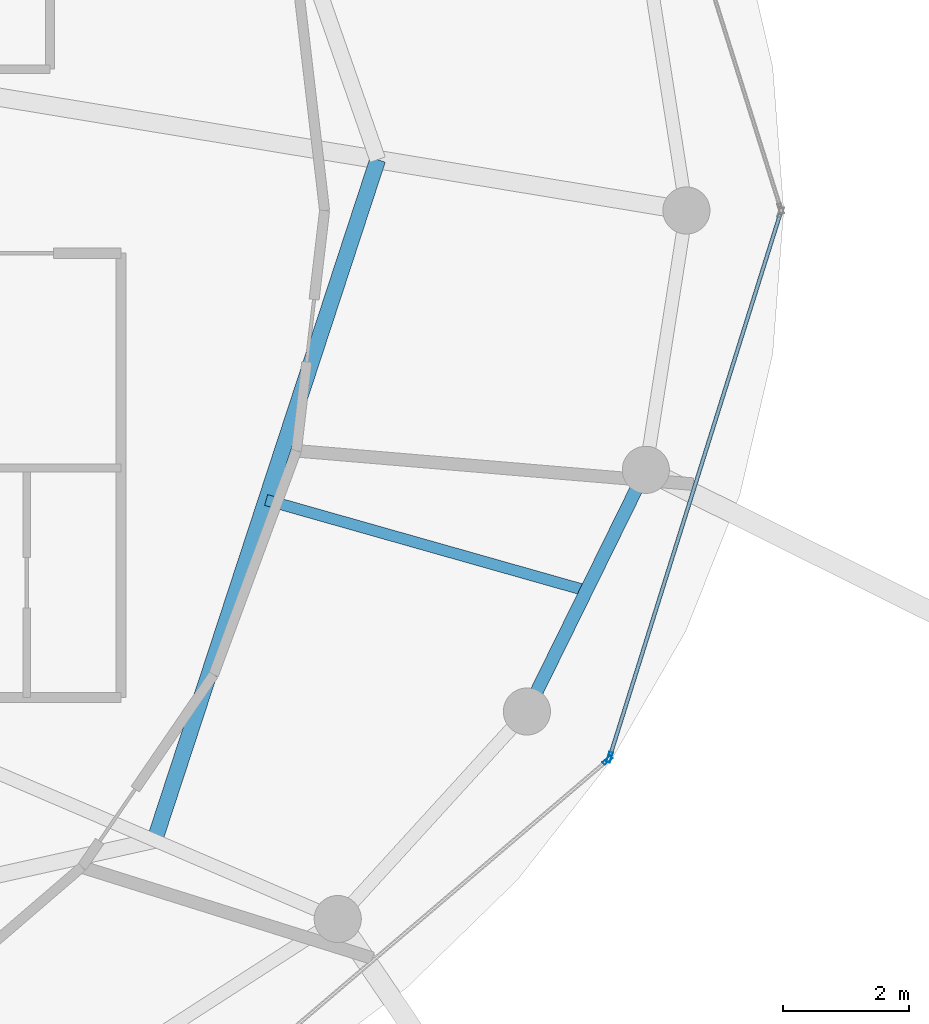
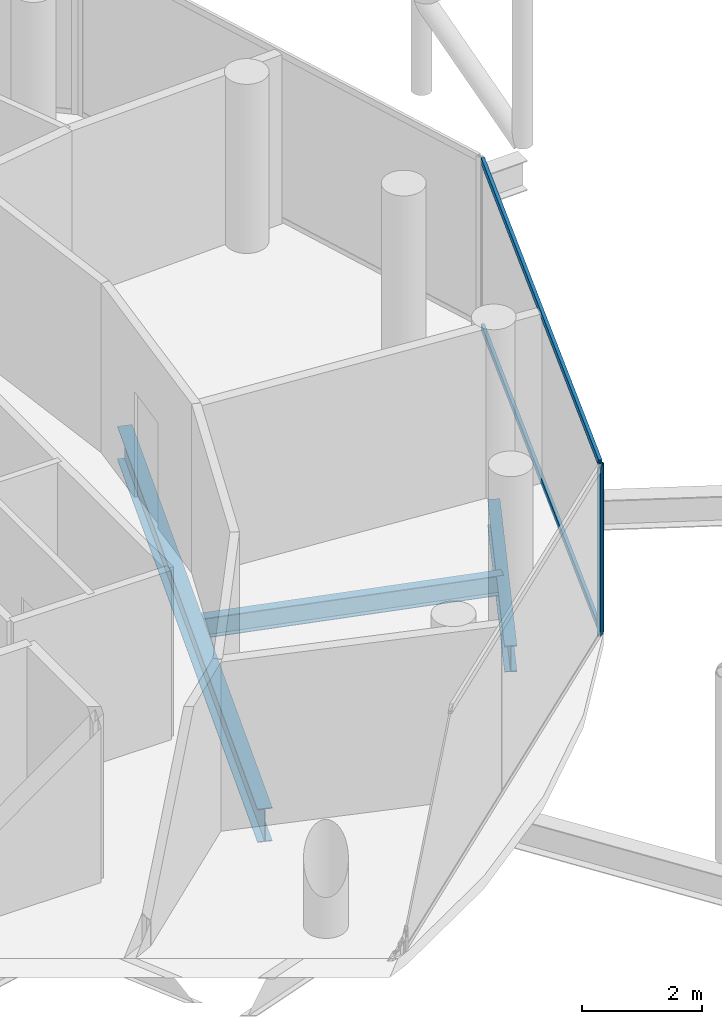
# One storey, part 10 of 24: 4 members, 3 beams, 2 elements without a shape of their own.
"""IFC4 building model written with IfcOpenShell, lengths in metres."""

from ifc_helpers import new_model, si_unit, direction, frame, origin, origin_2d, place, context, subcontext, project, spatial, hollow_rectangle, i_section, extrude, material, layer, layer_set, material_profile, profile_set, type_object, element, aggregate, save


model = new_model("IFC4")

# Units and contexts
model_context = context("Model", 3, precision=1e-05, world=origin(), true_north=direction((0.0, 1.0)))
body_context = subcontext(model_context, "Body", "Model", "MODEL_VIEW")
ifc_project = project(units=[si_unit("LENGTHUNIT", "METRE"), si_unit("AREAUNIT", "SQUARE_METRE"), si_unit("VOLUMEUNIT", "CUBIC_METRE"), si_unit("PLANEANGLEUNIT", "RADIAN"), si_unit("MASSUNIT", "GRAM", prefix="KILO")], contexts=[model_context])

# Site, building, storey
site_placement = place(None, origin())
site = spatial("IfcSite", under=ifc_project, at=site_placement, CompositionType="ELEMENT")
building_placement = place(site_placement, origin())
building = spatial("IfcBuilding", under=site, at=building_placement, Name="Nuhasar Tower", CompositionType="ELEMENT")
storey_placement = place(building_placement, frame((0.0, 0.0, 297.39990234375)))
storey = spatial("IfcBuildingStorey", under=building, at=storey_placement, Name="L74", CompositionType="ELEMENT", Elevation=297.39990234375)

# Beams
ifc_material_1 = material(Name="Steel S355", Category="steel")
ifc_material_profile_1 = material_profile(ifc_material_1, i_section(OverallWidth=0.25390625, OverallDepth=0.68408203125, WebThickness=0.012451171875, FlangeThickness=0.018798828125, at=origin_2d()), Name="W27X94")
ifc_profile_set_1 = profile_set([ifc_material_profile_1], Name="Steel S355")
beam_type_1 = type_object("IfcBeamType", Name="BM-INRING-W27X94", PredefinedType="BEAM", material=ifc_profile_set_1)
beam_1_placement = place(storey_placement, frame((49.48388671875, 16.77392578125, -0.601806640625), z_axis=(0.311483801376, 0.950251462235, 0.0), x_axis=(-0.950251462235, 0.311483801376, 0.0)))
element("IfcBeam", 1, at=beam_1_placement, inside=storey, type_object=beam_type_1, Name="L74 Inner Header Beam 03", PredefinedType="BEAM", context=body_context, shape_type="SweptSolid", body=[
    extrude(i_section(OverallWidth=0.25390625, OverallDepth=0.68408203125, WebThickness=0.012451171875, FlangeThickness=0.018798828125, at=origin_2d()), origin(), (0.0, 0.0, 1.0), 11.403564453125),
])
ifc_material_profile_2 = material_profile(ifc_material_1, i_section(OverallWidth=0.177978515625, OverallDepth=0.406005859375, WebThickness=0.0078125, FlangeThickness=0.0126953125, at=origin_2d()), Name="W16X40")
ifc_profile_set_2 = profile_set([ifc_material_profile_2], Name="Steel S355")
beam_type_2 = type_object("IfcBeamType", Name="BM-JST-W16X40", PredefinedType="JOIST", material=ifc_profile_set_2)
beam_2_placement = place(storey_placement, frame((51.260009765625, 22.19189453125, -0.462890625), z_axis=(0.962154316042, -0.272505178156, 0.0), x_axis=(0.272505178156, 0.962154316042, 0.0)))
element("IfcBeam", 2, at=beam_2_placement, inside=storey, type_object=beam_type_2, Name="L74 Secondary Floor Joist 03", PredefinedType="JOIST", context=body_context, shape_type="SweptSolid", body=[
    extrude(i_section(OverallWidth=0.177978515625, OverallDepth=0.406005859375, WebThickness=0.0078125, FlangeThickness=0.0126953125, at=origin_2d()), origin(), (0.0, 0.0, 1.0), 5.29833984375),
])
ifc_material_profile_3 = material_profile(ifc_material_1, i_section(OverallWidth=0.2099609375, OverallDepth=0.537109375, WebThickness=0.010986328125, FlangeThickness=0.017333984375, at=origin_2d()), Name="W21X68")
ifc_profile_set_3 = profile_set([ifc_material_profile_3], Name="Steel S355")
beam_type_3 = type_object("IfcBeamType", Name="BM-RING-W21X68", PredefinedType="SPANDREL", material=ifc_profile_set_3)
beam_3_placement = place(storey_placement, frame((55.410888671875, 18.824951171875, -0.52880859375), z_axis=(0.441510561726, 0.897256052576, 0.0), x_axis=(-0.897256052576, 0.441510561726, 0.0)))
element("IfcBeam", 3, at=beam_3_placement, inside=storey, type_object=beam_type_3, Name="L74 Perimeter Ring Spandrel 23", PredefinedType="SPANDREL", context=body_context, shape_type="SweptSolid", body=[
    extrude(i_section(OverallWidth=0.2099609375, OverallDepth=0.537109375, WebThickness=0.010986328125, FlangeThickness=0.017333984375, at=origin_2d()), origin(), (0.0, 0.0, 1.0), 4.28759765625),
])

# Curtain wall, member
ifc_material_2 = material(Name="Aluminium 6063-T6", Category="aluminium")
ifc_layer = layer(ifc_material_2, 0.18994140625)
ifc_layer_set = layer_set([ifc_layer], Name="Aluminium 6063-T6")
curtain_wall_type = type_object("IfcCurtainWallType", Name="CW-Z4-PEN", PredefinedType="NOTDEFINED", material=ifc_layer_set)
curtain_wall_1_placement = place(storey_placement, origin())
curtain_wall_1 = element("IfcCurtainWall", 4, at=curtain_wall_1_placement, inside=storey, type_object=curtain_wall_type, Name="L74 Unitised Curtain Wall 11", PredefinedType="NOTDEFINED")
ifc_material_profile_4 = material_profile(ifc_material_2, hollow_rectangle(XDim=0.06005859375, YDim=0.1650390625, WallThickness=0.0048828125, at=origin_2d()), Name="CWM-5")
ifc_profile_set_4 = profile_set([ifc_material_profile_4], Name="Aluminium 6063-T6")
member_type_1 = type_object("IfcMemberType", Name="CW-MUL-S5", PredefinedType="MULLION", material=ifc_profile_set_4)
member_1_placement = place(storey_placement, frame((56.6962890625, 18.050537109375, 0.0), z_axis=(0.0, 0.0, 1.0), x_axis=(-0.649141996205, 0.760667252327, 0.0)))
member_1 = element("IfcMember", 5, at=member_1_placement, type_object=member_type_1, Name="CW-Z4 mullion 2", PredefinedType="MULLION", context=body_context, shape_type="SweptSolid", body=[
    extrude(hollow_rectangle(XDim=0.06005859375, YDim=0.1650390625, WallThickness=0.0048828125, at=origin_2d()), origin(), (0.0, 0.0, 1.0), 3.4501953125),
])
aggregate(curtain_wall_1, [member_1])

# Curtain wall, members
curtain_wall_2_placement = place(storey_placement, origin())
curtain_wall_2 = element("IfcCurtainWall", 6, at=curtain_wall_2_placement, inside=storey, type_object=curtain_wall_type, Name="L74 Unitised Curtain Wall 12", PredefinedType="NOTDEFINED")
member_2_placement = place(storey_placement, frame((56.72802734375, 18.0986328125, 0.0), z_axis=(0.0, 0.0, 1.0), x_axis=(-0.954078526601, 0.299556614146, 0.0)))
member_2 = element("IfcMember", 7, at=member_2_placement, type_object=member_type_1, Name="CW-Z4 mullion 1", PredefinedType="MULLION", context=body_context, shape_type="SweptSolid", body=[
    extrude(hollow_rectangle(XDim=0.06005859375, YDim=0.1650390625, WallThickness=0.0048828125, at=origin_2d()), origin(), (0.0, 0.0, 1.0), 3.4501953125),
])
ifc_material_profile_5 = material_profile(ifc_material_2, hollow_rectangle(XDim=0.06005859375, YDim=0.135009765625, WallThickness=0.00439453125, at=origin_2d()), Name="CWT-5")
ifc_profile_set_5 = profile_set([ifc_material_profile_5], Name="Aluminium 6063-T6")
member_type_2 = type_object("IfcMemberType", Name="CW-TRN-S5", PredefinedType="USERDEFINED", material=ifc_profile_set_5)
member_3_placement = place(storey_placement, frame((56.737060546875, 18.127197265625, 0.030029296875), z_axis=(0.29956014073, 0.954077419335, 0.0), x_axis=(-0.954077419335, 0.29956014073, 0.0)))
member_3 = element("IfcMember", 8, at=member_3_placement, type_object=member_type_2, Name="CW-Z4 transom 1.1", ObjectType="TRANSOM", PredefinedType="USERDEFINED", context=body_context, shape_type="SweptSolid", body=[
    extrude(hollow_rectangle(XDim=0.06005859375, YDim=0.135009765625, WallThickness=0.00439453125, at=origin_2d()), origin(), (0.0, 0.0, 1.0), 9.0302734375),
])
member_4_placement = place(storey_placement, frame((56.737060546875, 18.127197265625, 3.420166015625), z_axis=(0.29956014073, 0.954077419335, 0.0), x_axis=(-0.954077419335, 0.29956014073, 0.0)))
member_4 = element("IfcMember", 9, at=member_4_placement, type_object=member_type_2, Name="CW-Z4 transom 1.2", ObjectType="TRANSOM", PredefinedType="USERDEFINED", context=body_context, shape_type="SweptSolid", body=[
    extrude(hollow_rectangle(XDim=0.06005859375, YDim=0.135009765625, WallThickness=0.00439453125, at=origin_2d()), origin(), (0.0, 0.0, 1.0), 9.0302734375),
])
aggregate(curtain_wall_2, [member_2, member_3, member_4])

save(model, "model.ifc")
